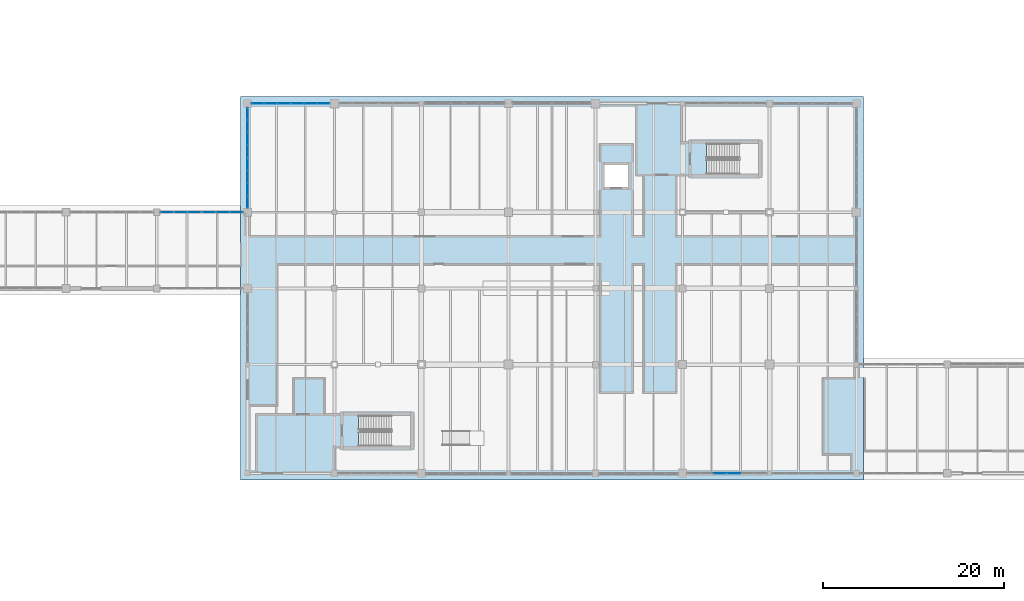
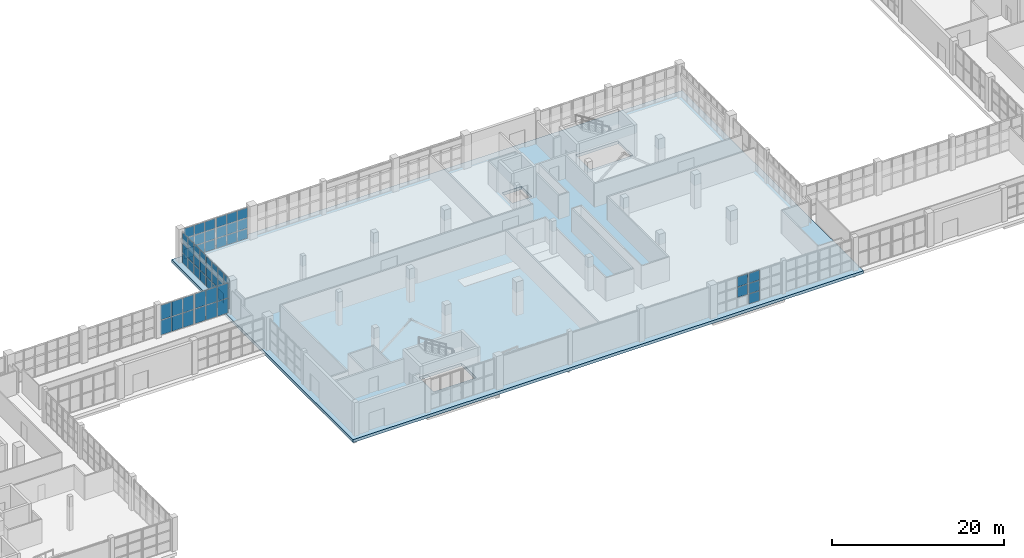
# One storey, part 78 of 121: 59 plates, 1 slab, 8 elements without a shape of their own.
"""IFC4 building model written with IfcOpenShell, lengths in metres."""

from ifc_helpers import new_model, si_unit, direction, frame, origin, origin_2d, place, context, subcontext, project, spatial, polyline, rectangle, outline, extrude, material, layer, layer_set, type_object, element, aggregate, save


model = new_model("IFC4")

# Units and contexts
model_context = context("Model", 3, precision=1e-05, world=origin(), true_north=direction((0.0, 1.0)))
body_context = subcontext(model_context, "Body", "Model", "MODEL_VIEW")
ifc_project = project(units=[si_unit("LENGTHUNIT", "METRE"), si_unit("AREAUNIT", "SQUARE_METRE"), si_unit("VOLUMEUNIT", "CUBIC_METRE"), si_unit("PLANEANGLEUNIT", "RADIAN"), si_unit("MASSUNIT", "GRAM", prefix="KILO")], contexts=[model_context])

# Site, building, storey
site_placement = place(None, origin())
site = spatial("IfcSite", under=ifc_project, at=site_placement, CompositionType="ELEMENT")
building_placement = place(site_placement, origin())
building = spatial("IfcBuilding", under=site, at=building_placement, Name="Zereglee Splitstone Museum", CompositionType="ELEMENT")
storey_placement = place(building_placement, origin())
storey = spatial("IfcBuildingStorey", under=building, at=storey_placement, Name="L00", CompositionType="ELEMENT", Elevation=0.0)

# Curtain wall, plates
ifc_material_1 = material(Name="Triple-glazed low-E argon glass and bronze-anodised aluminium", Category="aluminium")
ifc_layer_1 = layer(ifc_material_1, 0.179931640625)
ifc_layer_set_1 = layer_set([ifc_layer_1], Name="Triple-glazed low-E argon glass and bronze-anodised aluminium")
curtain_wall_type_1 = type_object("IfcCurtainWallType", Name="CW-0429-450", PredefinedType="USERDEFINED", material=ifc_layer_set_1)
curtain_wall_1_placement = place(storey_placement, origin())
curtain_wall_1 = element("IfcCurtainWall", 1, at=curtain_wall_1_placement, inside=storey, type_object=curtain_wall_type_1, Name="Glazed Curtain Wall CW-0429-450 (L00)", ObjectType="GLAZED CURTAIN WALL", PredefinedType="USERDEFINED")
ifc_material_2 = material(Name="Triple low-e argon insulated safety glass", Category="glass")
ifc_layer_2 = layer(ifc_material_2, 0.035888671875)
ifc_layer_set_2 = layer_set([ifc_layer_2], Name="Triple low-e argon insulated safety glass")
plate_type = type_object("IfcPlateType", Name="CWP-01", PredefinedType="CURTAIN_PANEL", material=ifc_layer_set_2)
plate_1_placement = place(storey_placement, frame((86.36083984375, 50.39990234375, 0.06494140625), z_axis=(0.0, 0.0, 1.0), x_axis=(-1.0, 0.0, 0.0)))
plate_1 = element("IfcPlate", 2, at=plate_1_placement, type_object=plate_type, Name="CW-0429-450 panel 1.1", PredefinedType="CURTAIN_PANEL", context=body_context, shape_type="SweptSolid", body=[
    extrude(rectangle(XDim=1.332275390625, YDim=0.035888671875, at=origin_2d()), origin(), (0.0, 0.0, 1.0), 1.402587890625),
])
plate_2_placement = place(storey_placement, frame((86.36083984375, 50.39990234375, 1.532470703125), z_axis=(0.0, 0.0, 1.0), x_axis=(-1.0, 0.0, 0.0)))
plate_2 = element("IfcPlate", 3, at=plate_2_placement, type_object=plate_type, Name="CW-0429-450 panel 1.2", PredefinedType="CURTAIN_PANEL", context=body_context, shape_type="SweptSolid", body=[
    extrude(rectangle(XDim=1.332275390625, YDim=0.035888671875, at=origin_2d()), origin(), (0.0, 0.0, 1.0), 1.43505859375),
])
plate_3_placement = place(storey_placement, frame((86.36083984375, 50.39990234375, 3.0322265625), z_axis=(0.0, 0.0, 1.0), x_axis=(-1.0, 0.0, 0.0)))
plate_3 = element("IfcPlate", 4, at=plate_3_placement, type_object=plate_type, Name="CW-0429-450 panel 1.3", PredefinedType="CURTAIN_PANEL", context=body_context, shape_type="SweptSolid", body=[
    extrude(rectangle(XDim=1.332275390625, YDim=0.035888671875, at=origin_2d()), origin(), (0.0, 0.0, 1.0), 1.402587890625),
])
plate_4_placement = place(storey_placement, frame((84.947265625, 50.39990234375, 0.06494140625), z_axis=(0.0, 0.0, 1.0), x_axis=(-1.0, 0.0, 0.0)))
plate_4 = element("IfcPlate", 5, at=plate_4_placement, type_object=plate_type, Name="CW-0429-450 panel 2.1", PredefinedType="CURTAIN_PANEL", context=body_context, shape_type="SweptSolid", body=[
    extrude(rectangle(XDim=1.36474609375, YDim=0.035888671875, at=origin_2d()), origin(), (0.0, 0.0, 1.0), 1.402587890625),
])
plate_5_placement = place(storey_placement, frame((84.947265625, 50.39990234375, 1.532470703125), z_axis=(0.0, 0.0, 1.0), x_axis=(-1.0, 0.0, 0.0)))
plate_5 = element("IfcPlate", 6, at=plate_5_placement, type_object=plate_type, Name="CW-0429-450 panel 2.2", PredefinedType="CURTAIN_PANEL", context=body_context, shape_type="SweptSolid", body=[
    extrude(rectangle(XDim=1.36474609375, YDim=0.035888671875, at=origin_2d()), origin(), (0.0, 0.0, 1.0), 1.43505859375),
])
plate_6_placement = place(storey_placement, frame((84.947265625, 50.39990234375, 3.0322265625), z_axis=(0.0, 0.0, 1.0), x_axis=(-1.0, 0.0, 0.0)))
plate_6 = element("IfcPlate", 7, at=plate_6_placement, type_object=plate_type, Name="CW-0429-450 panel 2.3", PredefinedType="CURTAIN_PANEL", context=body_context, shape_type="SweptSolid", body=[
    extrude(rectangle(XDim=1.36474609375, YDim=0.035888671875, at=origin_2d()), origin(), (0.0, 0.0, 1.0), 1.402587890625),
])
plate_7_placement = place(storey_placement, frame((83.53369140625, 50.39990234375, 0.06494140625), z_axis=(0.0, 0.0, 1.0), x_axis=(-1.0, 0.0, 0.0)))
plate_7 = element("IfcPlate", 8, at=plate_7_placement, type_object=plate_type, Name="CW-0429-450 panel 3.1", PredefinedType="CURTAIN_PANEL", context=body_context, shape_type="SweptSolid", body=[
    extrude(rectangle(XDim=1.332275390625, YDim=0.035888671875, at=origin_2d()), origin(), (0.0, 0.0, 1.0), 1.402587890625),
])
plate_8_placement = place(storey_placement, frame((83.53369140625, 50.39990234375, 1.532470703125), z_axis=(0.0, 0.0, 1.0), x_axis=(-1.0, 0.0, 0.0)))
plate_8 = element("IfcPlate", 9, at=plate_8_placement, type_object=plate_type, Name="CW-0429-450 panel 3.2", PredefinedType="CURTAIN_PANEL", context=body_context, shape_type="SweptSolid", body=[
    extrude(rectangle(XDim=1.332275390625, YDim=0.035888671875, at=origin_2d()), origin(), (0.0, 0.0, 1.0), 1.43505859375),
])
plate_9_placement = place(storey_placement, frame((83.53369140625, 50.39990234375, 3.0322265625), z_axis=(0.0, 0.0, 1.0), x_axis=(-1.0, 0.0, 0.0)))
plate_9 = element("IfcPlate", 10, at=plate_9_placement, type_object=plate_type, Name="CW-0429-450 panel 3.3", PredefinedType="CURTAIN_PANEL", context=body_context, shape_type="SweptSolid", body=[
    extrude(rectangle(XDim=1.332275390625, YDim=0.035888671875, at=origin_2d()), origin(), (0.0, 0.0, 1.0), 1.402587890625),
])
aggregate(curtain_wall_1, [plate_1, plate_2, plate_3, plate_4, plate_5, plate_6, plate_7, plate_8, plate_9])

ifc_layer_3 = layer(ifc_material_1, 0.179931640625)
ifc_layer_set_3 = layer_set([ifc_layer_3], Name="Triple-glazed low-E argon glass and bronze-anodised aluminium")
curtain_wall_type_2 = type_object("IfcCurtainWallType", Name="CW-0429-448", PredefinedType="USERDEFINED", material=ifc_layer_set_3)
curtain_wall_2_placement = place(storey_placement, origin())
curtain_wall_2 = element("IfcCurtainWall", 11, at=curtain_wall_2_placement, inside=storey, type_object=curtain_wall_type_2, Name="Glazed Curtain Wall CW-0429-448 (L00)", ObjectType="GLAZED CURTAIN WALL", PredefinedType="USERDEFINED")
plate_10_placement = place(storey_placement, frame((81.991455078125, 50.39990234375, 0.06494140625), z_axis=(0.0, 0.0, 1.0), x_axis=(-1.0, 0.0, 0.0)))
plate_10 = element("IfcPlate", 12, at=plate_10_placement, type_object=plate_type, Name="CW-0429-448 panel 1.1", PredefinedType="CURTAIN_PANEL", context=body_context, shape_type="SweptSolid", body=[
    extrude(rectangle(XDim=1.332275390625, YDim=0.035888671875, at=origin_2d()), origin(), (0.0, 0.0, 1.0), 1.395751953125),
])
plate_11_placement = place(storey_placement, frame((81.991455078125, 50.39990234375, 1.52587890625), z_axis=(0.0, 0.0, 1.0), x_axis=(-1.0, 0.0, 0.0)))
plate_11 = element("IfcPlate", 13, at=plate_11_placement, type_object=plate_type, Name="CW-0429-448 panel 1.2", PredefinedType="CURTAIN_PANEL", context=body_context, shape_type="SweptSolid", body=[
    extrude(rectangle(XDim=1.332275390625, YDim=0.035888671875, at=origin_2d()), origin(), (0.0, 0.0, 1.0), 1.428466796875),
])
plate_12_placement = place(storey_placement, frame((81.991455078125, 50.39990234375, 3.01904296875), z_axis=(0.0, 0.0, 1.0), x_axis=(-1.0, 0.0, 0.0)))
plate_12 = element("IfcPlate", 14, at=plate_12_placement, type_object=plate_type, Name="CW-0429-448 panel 1.3", PredefinedType="CURTAIN_PANEL", context=body_context, shape_type="SweptSolid", body=[
    extrude(rectangle(XDim=1.332275390625, YDim=0.035888671875, at=origin_2d()), origin(), (0.0, 0.0, 1.0), 1.395751953125),
])
plate_13_placement = place(storey_placement, frame((80.57763671875, 50.39990234375, 0.06494140625), z_axis=(0.0, 0.0, 1.0), x_axis=(-1.0, 0.0, 0.0)))
plate_13 = element("IfcPlate", 15, at=plate_13_placement, type_object=plate_type, Name="CW-0429-448 panel 2.1", PredefinedType="CURTAIN_PANEL", context=body_context, shape_type="SweptSolid", body=[
    extrude(rectangle(XDim=1.36474609375, YDim=0.035888671875, at=origin_2d()), origin(), (0.0, 0.0, 1.0), 1.395751953125),
])
plate_14_placement = place(storey_placement, frame((80.57763671875, 50.39990234375, 1.52587890625), z_axis=(0.0, 0.0, 1.0), x_axis=(-1.0, 0.0, 0.0)))
plate_14 = element("IfcPlate", 16, at=plate_14_placement, type_object=plate_type, Name="CW-0429-448 panel 2.2", PredefinedType="CURTAIN_PANEL", context=body_context, shape_type="SweptSolid", body=[
    extrude(rectangle(XDim=1.36474609375, YDim=0.035888671875, at=origin_2d()), origin(), (0.0, 0.0, 1.0), 1.428466796875),
])
plate_15_placement = place(storey_placement, frame((80.57763671875, 50.39990234375, 3.01904296875), z_axis=(0.0, 0.0, 1.0), x_axis=(-1.0, 0.0, 0.0)))
plate_15 = element("IfcPlate", 17, at=plate_15_placement, type_object=plate_type, Name="CW-0429-448 panel 2.3", PredefinedType="CURTAIN_PANEL", context=body_context, shape_type="SweptSolid", body=[
    extrude(rectangle(XDim=1.36474609375, YDim=0.035888671875, at=origin_2d()), origin(), (0.0, 0.0, 1.0), 1.395751953125),
])
plate_16_placement = place(storey_placement, frame((79.1640625, 50.39990234375, 0.06494140625), z_axis=(0.0, 0.0, 1.0), x_axis=(-1.0, 0.0, 0.0)))
plate_16 = element("IfcPlate", 18, at=plate_16_placement, type_object=plate_type, Name="CW-0429-448 panel 3.1", PredefinedType="CURTAIN_PANEL", context=body_context, shape_type="SweptSolid", body=[
    extrude(rectangle(XDim=1.332275390625, YDim=0.035888671875, at=origin_2d()), origin(), (0.0, 0.0, 1.0), 1.395751953125),
])
plate_17_placement = place(storey_placement, frame((79.1640625, 50.39990234375, 1.52587890625), z_axis=(0.0, 0.0, 1.0), x_axis=(-1.0, 0.0, 0.0)))
plate_17 = element("IfcPlate", 19, at=plate_17_placement, type_object=plate_type, Name="CW-0429-448 panel 3.2", PredefinedType="CURTAIN_PANEL", context=body_context, shape_type="SweptSolid", body=[
    extrude(rectangle(XDim=1.332275390625, YDim=0.035888671875, at=origin_2d()), origin(), (0.0, 0.0, 1.0), 1.428466796875),
])
plate_18_placement = place(storey_placement, frame((79.1640625, 50.39990234375, 3.01904296875), z_axis=(0.0, 0.0, 1.0), x_axis=(-1.0, 0.0, 0.0)))
plate_18 = element("IfcPlate", 20, at=plate_18_placement, type_object=plate_type, Name="CW-0429-448 panel 3.3", PredefinedType="CURTAIN_PANEL", context=body_context, shape_type="SweptSolid", body=[
    extrude(rectangle(XDim=1.332275390625, YDim=0.035888671875, at=origin_2d()), origin(), (0.0, 0.0, 1.0), 1.395751953125),
])
aggregate(curtain_wall_2, [plate_10, plate_11, plate_12, plate_13, plate_14, plate_15, plate_16, plate_17, plate_18])

ifc_layer_4 = layer(ifc_material_1, 0.179931640625)
ifc_layer_set_4 = layer_set([ifc_layer_4], Name="Triple-glazed low-E argon glass and bronze-anodised aluminium")
curtain_wall_type_3 = type_object("IfcCurtainWallType", Name="CW-0551-444", PredefinedType="USERDEFINED", material=ifc_layer_set_4)
curtain_wall_3_placement = place(storey_placement, origin())
curtain_wall_3 = element("IfcCurtainWall", 21, at=curtain_wall_3_placement, inside=storey, type_object=curtain_wall_type_3, Name="Glazed Curtain Wall CW-0551-444 (L00)", ObjectType="GLAZED CURTAIN WALL", PredefinedType="USERDEFINED")
plate_19_placement = place(storey_placement, frame((78.0, 49.261474609375, 0.06494140625), z_axis=(0.0, 0.0, 1.0), x_axis=(0.0, -1.0, 0.0)))
plate_19 = element("IfcPlate", 22, at=plate_19_placement, type_object=plate_type, Name="CW-0551-444 panel 1.1", PredefinedType="CURTAIN_PANEL", context=body_context, shape_type="SweptSolid", body=[
    extrude(rectangle(XDim=1.281005859375, YDim=0.035888671875, at=origin_2d()), origin(), (0.0, 0.0, 1.0), 1.382568359375),
])
plate_20_placement = place(storey_placement, frame((78.0, 49.261474609375, 1.512451171875), z_axis=(0.0, 0.0, 1.0), x_axis=(0.0, -1.0, 0.0)))
plate_20 = element("IfcPlate", 23, at=plate_20_placement, type_object=plate_type, Name="CW-0551-444 panel 1.2", PredefinedType="CURTAIN_PANEL", context=body_context, shape_type="SweptSolid", body=[
    extrude(rectangle(XDim=1.281005859375, YDim=0.035888671875, at=origin_2d()), origin(), (0.0, 0.0, 1.0), 1.4150390625),
])
plate_21_placement = place(storey_placement, frame((78.0, 49.261474609375, 2.99267578125), z_axis=(0.0, 0.0, 1.0), x_axis=(0.0, -1.0, 0.0)))
plate_21 = element("IfcPlate", 24, at=plate_21_placement, type_object=plate_type, Name="CW-0551-444 panel 1.3", PredefinedType="CURTAIN_PANEL", context=body_context, shape_type="SweptSolid", body=[
    extrude(rectangle(XDim=1.281005859375, YDim=0.035888671875, at=origin_2d()), origin(), (0.0, 0.0, 1.0), 1.382568359375),
])
plate_22_placement = place(storey_placement, frame((78.0, 47.899169921875, 0.06494140625), z_axis=(0.0, 0.0, 1.0), x_axis=(0.0, -1.0, 0.0)))
plate_22 = element("IfcPlate", 25, at=plate_22_placement, type_object=plate_type, Name="CW-0551-444 panel 2.1", PredefinedType="CURTAIN_PANEL", context=body_context, shape_type="SweptSolid", body=[
    extrude(rectangle(XDim=1.313720703125, YDim=0.035888671875, at=origin_2d()), origin(), (0.0, 0.0, 1.0), 1.382568359375),
])
plate_23_placement = place(storey_placement, frame((78.0, 47.899169921875, 1.512451171875), z_axis=(0.0, 0.0, 1.0), x_axis=(0.0, -1.0, 0.0)))
plate_23 = element("IfcPlate", 26, at=plate_23_placement, type_object=plate_type, Name="CW-0551-444 panel 2.2", PredefinedType="CURTAIN_PANEL", context=body_context, shape_type="SweptSolid", body=[
    extrude(rectangle(XDim=1.313720703125, YDim=0.035888671875, at=origin_2d()), origin(), (0.0, 0.0, 1.0), 1.4150390625),
])
plate_24_placement = place(storey_placement, frame((78.0, 47.899169921875, 2.99267578125), z_axis=(0.0, 0.0, 1.0), x_axis=(0.0, -1.0, 0.0)))
plate_24 = element("IfcPlate", 27, at=plate_24_placement, type_object=plate_type, Name="CW-0551-444 panel 2.3", PredefinedType="CURTAIN_PANEL", context=body_context, shape_type="SweptSolid", body=[
    extrude(rectangle(XDim=1.313720703125, YDim=0.035888671875, at=origin_2d()), origin(), (0.0, 0.0, 1.0), 1.382568359375),
])
plate_25_placement = place(storey_placement, frame((78.0, 46.5205078125, 0.06494140625), z_axis=(0.0, 0.0, 1.0), x_axis=(0.0, -1.0, 0.0)))
plate_25 = element("IfcPlate", 28, at=plate_25_placement, type_object=plate_type, Name="CW-0551-444 panel 3.1", PredefinedType="CURTAIN_PANEL", context=body_context, shape_type="SweptSolid", body=[
    extrude(rectangle(XDim=1.313720703125, YDim=0.035888671875, at=origin_2d()), origin(), (0.0, 0.0, 1.0), 1.382568359375),
])
plate_26_placement = place(storey_placement, frame((78.0, 46.5205078125, 1.512451171875), z_axis=(0.0, 0.0, 1.0), x_axis=(0.0, -1.0, 0.0)))
plate_26 = element("IfcPlate", 29, at=plate_26_placement, type_object=plate_type, Name="CW-0551-444 panel 3.2", PredefinedType="CURTAIN_PANEL", context=body_context, shape_type="SweptSolid", body=[
    extrude(rectangle(XDim=1.313720703125, YDim=0.035888671875, at=origin_2d()), origin(), (0.0, 0.0, 1.0), 1.4150390625),
])
plate_27_placement = place(storey_placement, frame((78.0, 46.5205078125, 2.99267578125), z_axis=(0.0, 0.0, 1.0), x_axis=(0.0, -1.0, 0.0)))
plate_27 = element("IfcPlate", 30, at=plate_27_placement, type_object=plate_type, Name="CW-0551-444 panel 3.3", PredefinedType="CURTAIN_PANEL", context=body_context, shape_type="SweptSolid", body=[
    extrude(rectangle(XDim=1.313720703125, YDim=0.035888671875, at=origin_2d()), origin(), (0.0, 0.0, 1.0), 1.382568359375),
])
plate_28_placement = place(storey_placement, frame((78.0, 45.157958984375, 0.06494140625), z_axis=(0.0, 0.0, 1.0), x_axis=(0.0, -1.0, 0.0)))
plate_28 = element("IfcPlate", 31, at=plate_28_placement, type_object=plate_type, Name="CW-0551-444 panel 4.1", PredefinedType="CURTAIN_PANEL", context=body_context, shape_type="SweptSolid", body=[
    extrude(rectangle(XDim=1.281005859375, YDim=0.035888671875, at=origin_2d()), origin(), (0.0, 0.0, 1.0), 1.382568359375),
])
plate_29_placement = place(storey_placement, frame((78.0, 45.157958984375, 1.512451171875), z_axis=(0.0, 0.0, 1.0), x_axis=(0.0, -1.0, 0.0)))
plate_29 = element("IfcPlate", 32, at=plate_29_placement, type_object=plate_type, Name="CW-0551-444 panel 4.2", PredefinedType="CURTAIN_PANEL", context=body_context, shape_type="SweptSolid", body=[
    extrude(rectangle(XDim=1.281005859375, YDim=0.035888671875, at=origin_2d()), origin(), (0.0, 0.0, 1.0), 1.4150390625),
])
plate_30_placement = place(storey_placement, frame((78.0, 45.157958984375, 2.99267578125), z_axis=(0.0, 0.0, 1.0), x_axis=(0.0, -1.0, 0.0)))
plate_30 = element("IfcPlate", 33, at=plate_30_placement, type_object=plate_type, Name="CW-0551-444 panel 4.3", PredefinedType="CURTAIN_PANEL", context=body_context, shape_type="SweptSolid", body=[
    extrude(rectangle(XDim=1.281005859375, YDim=0.035888671875, at=origin_2d()), origin(), (0.0, 0.0, 1.0), 1.382568359375),
])
aggregate(curtain_wall_3, [plate_19, plate_20, plate_21, plate_22, plate_23, plate_24, plate_25, plate_26, plate_27, plate_28, plate_29, plate_30])

ifc_layer_5 = layer(ifc_material_1, 0.179931640625)
ifc_layer_set_5 = layer_set([ifc_layer_5], Name="Triple-glazed low-E argon glass and bronze-anodised aluminium")
curtain_wall_type_4 = type_object("IfcCurtainWallType", Name="CW-0551-442", PredefinedType="USERDEFINED", material=ifc_layer_set_5)
curtain_wall_4_placement = place(storey_placement, origin())
curtain_wall_4 = element("IfcCurtainWall", 34, at=curtain_wall_4_placement, inside=storey, type_object=curtain_wall_type_4, Name="Glazed Curtain Wall CW-0551-442 (L00)", ObjectType="GLAZED CURTAIN WALL", PredefinedType="USERDEFINED")
plate_31_placement = place(storey_placement, frame((78.0, 43.6669921875, 0.06494140625), z_axis=(0.0, 0.0, 1.0), x_axis=(0.0, -1.0, 0.0)))
plate_31 = element("IfcPlate", 35, at=plate_31_placement, type_object=plate_type, Name="CW-0551-442 panel 1.1", PredefinedType="CURTAIN_PANEL", context=body_context, shape_type="SweptSolid", body=[
    extrude(rectangle(XDim=1.281005859375, YDim=0.035888671875, at=origin_2d()), origin(), (0.0, 0.0, 1.0), 1.375732421875),
])
plate_32_placement = place(storey_placement, frame((78.0, 43.6669921875, 1.505859375), z_axis=(0.0, 0.0, 1.0), x_axis=(0.0, -1.0, 0.0)))
plate_32 = element("IfcPlate", 36, at=plate_32_placement, type_object=plate_type, Name="CW-0551-442 panel 1.2", PredefinedType="CURTAIN_PANEL", context=body_context, shape_type="SweptSolid", body=[
    extrude(rectangle(XDim=1.281005859375, YDim=0.035888671875, at=origin_2d()), origin(), (0.0, 0.0, 1.0), 1.408447265625),
])
plate_33_placement = place(storey_placement, frame((78.0, 43.6669921875, 2.97900390625), z_axis=(0.0, 0.0, 1.0), x_axis=(0.0, -1.0, 0.0)))
plate_33 = element("IfcPlate", 37, at=plate_33_placement, type_object=plate_type, Name="CW-0551-442 panel 1.3", PredefinedType="CURTAIN_PANEL", context=body_context, shape_type="SweptSolid", body=[
    extrude(rectangle(XDim=1.281005859375, YDim=0.035888671875, at=origin_2d()), origin(), (0.0, 0.0, 1.0), 1.375732421875),
])
plate_34_placement = place(storey_placement, frame((78.0, 42.304443359375, 0.06494140625), z_axis=(0.0, 0.0, 1.0), x_axis=(0.0, -1.0, 0.0)))
plate_34 = element("IfcPlate", 38, at=plate_34_placement, type_object=plate_type, Name="CW-0551-442 panel 2.1", PredefinedType="CURTAIN_PANEL", context=body_context, shape_type="SweptSolid", body=[
    extrude(rectangle(XDim=1.313720703125, YDim=0.035888671875, at=origin_2d()), origin(), (0.0, 0.0, 1.0), 1.375732421875),
])
plate_35_placement = place(storey_placement, frame((78.0, 42.304443359375, 1.505859375), z_axis=(0.0, 0.0, 1.0), x_axis=(0.0, -1.0, 0.0)))
plate_35 = element("IfcPlate", 39, at=plate_35_placement, type_object=plate_type, Name="CW-0551-442 panel 2.2", PredefinedType="CURTAIN_PANEL", context=body_context, shape_type="SweptSolid", body=[
    extrude(rectangle(XDim=1.313720703125, YDim=0.035888671875, at=origin_2d()), origin(), (0.0, 0.0, 1.0), 1.408447265625),
])
plate_36_placement = place(storey_placement, frame((78.0, 42.304443359375, 2.97900390625), z_axis=(0.0, 0.0, 1.0), x_axis=(0.0, -1.0, 0.0)))
plate_36 = element("IfcPlate", 40, at=plate_36_placement, type_object=plate_type, Name="CW-0551-442 panel 2.3", PredefinedType="CURTAIN_PANEL", context=body_context, shape_type="SweptSolid", body=[
    extrude(rectangle(XDim=1.313720703125, YDim=0.035888671875, at=origin_2d()), origin(), (0.0, 0.0, 1.0), 1.375732421875),
])
plate_37_placement = place(storey_placement, frame((78.0, 40.926025390625, 0.06494140625), z_axis=(0.0, 0.0, 1.0), x_axis=(0.0, -1.0, 0.0)))
plate_37 = element("IfcPlate", 41, at=plate_37_placement, type_object=plate_type, Name="CW-0551-442 panel 3.1", PredefinedType="CURTAIN_PANEL", context=body_context, shape_type="SweptSolid", body=[
    extrude(rectangle(XDim=1.313720703125, YDim=0.035888671875, at=origin_2d()), origin(), (0.0, 0.0, 1.0), 1.375732421875),
])
plate_38_placement = place(storey_placement, frame((78.0, 40.926025390625, 1.505859375), z_axis=(0.0, 0.0, 1.0), x_axis=(0.0, -1.0, 0.0)))
plate_38 = element("IfcPlate", 42, at=plate_38_placement, type_object=plate_type, Name="CW-0551-442 panel 3.2", PredefinedType="CURTAIN_PANEL", context=body_context, shape_type="SweptSolid", body=[
    extrude(rectangle(XDim=1.313720703125, YDim=0.035888671875, at=origin_2d()), origin(), (0.0, 0.0, 1.0), 1.408447265625),
])
plate_39_placement = place(storey_placement, frame((78.0, 40.926025390625, 2.97900390625), z_axis=(0.0, 0.0, 1.0), x_axis=(0.0, -1.0, 0.0)))
plate_39 = element("IfcPlate", 43, at=plate_39_placement, type_object=plate_type, Name="CW-0551-442 panel 3.3", PredefinedType="CURTAIN_PANEL", context=body_context, shape_type="SweptSolid", body=[
    extrude(rectangle(XDim=1.313720703125, YDim=0.035888671875, at=origin_2d()), origin(), (0.0, 0.0, 1.0), 1.375732421875),
])
plate_40_placement = place(storey_placement, frame((78.0, 39.5634765625, 0.06494140625), z_axis=(0.0, 0.0, 1.0), x_axis=(0.0, -1.0, 0.0)))
plate_40 = element("IfcPlate", 44, at=plate_40_placement, type_object=plate_type, Name="CW-0551-442 panel 4.1", PredefinedType="CURTAIN_PANEL", context=body_context, shape_type="SweptSolid", body=[
    extrude(rectangle(XDim=1.281005859375, YDim=0.035888671875, at=origin_2d()), origin(), (0.0, 0.0, 1.0), 1.375732421875),
])
plate_41_placement = place(storey_placement, frame((78.0, 39.5634765625, 1.505859375), z_axis=(0.0, 0.0, 1.0), x_axis=(0.0, -1.0, 0.0)))
plate_41 = element("IfcPlate", 45, at=plate_41_placement, type_object=plate_type, Name="CW-0551-442 panel 4.2", PredefinedType="CURTAIN_PANEL", context=body_context, shape_type="SweptSolid", body=[
    extrude(rectangle(XDim=1.281005859375, YDim=0.035888671875, at=origin_2d()), origin(), (0.0, 0.0, 1.0), 1.408447265625),
])
plate_42_placement = place(storey_placement, frame((78.0, 39.5634765625, 2.97900390625), z_axis=(0.0, 0.0, 1.0), x_axis=(0.0, -1.0, 0.0)))
plate_42 = element("IfcPlate", 46, at=plate_42_placement, type_object=plate_type, Name="CW-0551-442 panel 4.3", PredefinedType="CURTAIN_PANEL", context=body_context, shape_type="SweptSolid", body=[
    extrude(rectangle(XDim=1.281005859375, YDim=0.035888671875, at=origin_2d()), origin(), (0.0, 0.0, 1.0), 1.375732421875),
])
aggregate(curtain_wall_4, [plate_31, plate_32, plate_33, plate_34, plate_35, plate_36, plate_37, plate_38, plate_39, plate_40, plate_41, plate_42])

ifc_layer_6 = layer(ifc_material_1, 0.179931640625)
ifc_layer_set_6 = layer_set([ifc_layer_6], Name="Triple-glazed low-E argon glass and bronze-anodised aluminium")
curtain_wall_type_5 = type_object("IfcCurtainWallType", Name="CW-0455-438", PredefinedType="USERDEFINED", material=ifc_layer_set_6)
curtain_wall_5_placement = place(storey_placement, origin())
curtain_wall_5 = element("IfcCurtainWall", 47, at=curtain_wall_5_placement, inside=storey, type_object=curtain_wall_type_5, Name="Glazed Curtain Wall CW-0455-438 (L00)", ObjectType="GLAZED CURTAIN WALL", PredefinedType="USERDEFINED")
plate_43_placement = place(storey_placement, frame((76.76708984375, 38.39990234375, 0.06494140625), z_axis=(0.0, 0.0, 1.0), x_axis=(-1.0, 0.0, 0.0)))
plate_43 = element("IfcPlate", 48, at=plate_43_placement, type_object=plate_type, Name="CW-0455-438 panel 1.1", PredefinedType="CURTAIN_PANEL", context=body_context, shape_type="SweptSolid", body=[
    extrude(rectangle(XDim=1.419921875, YDim=0.035888671875, at=origin_2d()), origin(), (0.0, 0.0, 1.0), 2.092529296875),
])
plate_44_placement = place(storey_placement, frame((76.76708984375, 38.39990234375, 2.22265625), z_axis=(0.0, 0.0, 1.0), x_axis=(-1.0, 0.0, 0.0)))
plate_44 = element("IfcPlate", 49, at=plate_44_placement, type_object=plate_type, Name="CW-0455-438 panel 1.2", PredefinedType="CURTAIN_PANEL", context=body_context, shape_type="SweptSolid", body=[
    extrude(rectangle(XDim=1.419921875, YDim=0.035888671875, at=origin_2d()), origin(), (0.0, 0.0, 1.0), 2.092529296875),
])
plate_45_placement = place(storey_placement, frame((75.26611328125, 38.39990234375, 0.06494140625), z_axis=(0.0, 0.0, 1.0), x_axis=(-1.0, 0.0, 0.0)))
plate_45 = element("IfcPlate", 50, at=plate_45_placement, type_object=plate_type, Name="CW-0455-438 panel 2.1", PredefinedType="CURTAIN_PANEL", context=body_context, shape_type="SweptSolid", body=[
    extrude(rectangle(XDim=1.452392578125, YDim=0.035888671875, at=origin_2d()), origin(), (0.0, 0.0, 1.0), 2.092529296875),
])
plate_46_placement = place(storey_placement, frame((75.26611328125, 38.39990234375, 2.22265625), z_axis=(0.0, 0.0, 1.0), x_axis=(-1.0, 0.0, 0.0)))
plate_46 = element("IfcPlate", 51, at=plate_46_placement, type_object=plate_type, Name="CW-0455-438 panel 2.2", PredefinedType="CURTAIN_PANEL", context=body_context, shape_type="SweptSolid", body=[
    extrude(rectangle(XDim=1.452392578125, YDim=0.035888671875, at=origin_2d()), origin(), (0.0, 0.0, 1.0), 2.092529296875),
])
plate_47_placement = place(storey_placement, frame((73.764892578125, 38.39990234375, 0.06494140625), z_axis=(0.0, 0.0, 1.0), x_axis=(-1.0, 0.0, 0.0)))
plate_47 = element("IfcPlate", 52, at=plate_47_placement, type_object=plate_type, Name="CW-0455-438 panel 3.1", PredefinedType="CURTAIN_PANEL", context=body_context, shape_type="SweptSolid", body=[
    extrude(rectangle(XDim=1.419921875, YDim=0.035888671875, at=origin_2d()), origin(), (0.0, 0.0, 1.0), 2.092529296875),
])
plate_48_placement = place(storey_placement, frame((73.764892578125, 38.39990234375, 2.22265625), z_axis=(0.0, 0.0, 1.0), x_axis=(-1.0, 0.0, 0.0)))
plate_48 = element("IfcPlate", 53, at=plate_48_placement, type_object=plate_type, Name="CW-0455-438 panel 3.2", PredefinedType="CURTAIN_PANEL", context=body_context, shape_type="SweptSolid", body=[
    extrude(rectangle(XDim=1.419921875, YDim=0.035888671875, at=origin_2d()), origin(), (0.0, 0.0, 1.0), 2.092529296875),
])
aggregate(curtain_wall_5, [plate_43, plate_44, plate_45, plate_46, plate_47, plate_48])

ifc_layer_7 = layer(ifc_material_1, 0.179931640625)
ifc_layer_set_7 = layer_set([ifc_layer_7], Name="Triple-glazed low-E argon glass and bronze-anodised aluminium")
curtain_wall_type_6 = type_object("IfcCurtainWallType", Name="CW-0455-436", PredefinedType="USERDEFINED", material=ifc_layer_set_7)
curtain_wall_6_placement = place(storey_placement, origin())
curtain_wall_6 = element("IfcCurtainWall", 54, at=curtain_wall_6_placement, inside=storey, type_object=curtain_wall_type_6, Name="Glazed Curtain Wall CW-0455-436 (L00)", ObjectType="GLAZED CURTAIN WALL", PredefinedType="USERDEFINED")
plate_49_placement = place(storey_placement, frame((72.135009765625, 38.39990234375, 0.06494140625), z_axis=(0.0, 0.0, 1.0), x_axis=(-1.0, 0.0, 0.0)))
plate_49 = element("IfcPlate", 55, at=plate_49_placement, type_object=plate_type, Name="CW-0455-436 panel 1.1", PredefinedType="CURTAIN_PANEL", context=body_context, shape_type="SweptSolid", body=[
    extrude(rectangle(XDim=1.419921875, YDim=0.035888671875, at=origin_2d()), origin(), (0.0, 0.0, 1.0), 2.08251953125),
])
plate_50_placement = place(storey_placement, frame((72.135009765625, 38.39990234375, 2.21240234375), z_axis=(0.0, 0.0, 1.0), x_axis=(-1.0, 0.0, 0.0)))
plate_50 = element("IfcPlate", 56, at=plate_50_placement, type_object=plate_type, Name="CW-0455-436 panel 1.2", PredefinedType="CURTAIN_PANEL", context=body_context, shape_type="SweptSolid", body=[
    extrude(rectangle(XDim=1.419921875, YDim=0.035888671875, at=origin_2d()), origin(), (0.0, 0.0, 1.0), 2.08251953125),
])
plate_51_placement = place(storey_placement, frame((70.634033203125, 38.39990234375, 0.06494140625), z_axis=(0.0, 0.0, 1.0), x_axis=(-1.0, 0.0, 0.0)))
plate_51 = element("IfcPlate", 57, at=plate_51_placement, type_object=plate_type, Name="CW-0455-436 panel 2.1", PredefinedType="CURTAIN_PANEL", context=body_context, shape_type="SweptSolid", body=[
    extrude(rectangle(XDim=1.452392578125, YDim=0.035888671875, at=origin_2d()), origin(), (0.0, 0.0, 1.0), 2.08251953125),
])
plate_52_placement = place(storey_placement, frame((70.634033203125, 38.39990234375, 2.21240234375), z_axis=(0.0, 0.0, 1.0), x_axis=(-1.0, 0.0, 0.0)))
plate_52 = element("IfcPlate", 58, at=plate_52_placement, type_object=plate_type, Name="CW-0455-436 panel 2.2", PredefinedType="CURTAIN_PANEL", context=body_context, shape_type="SweptSolid", body=[
    extrude(rectangle(XDim=1.452392578125, YDim=0.035888671875, at=origin_2d()), origin(), (0.0, 0.0, 1.0), 2.08251953125),
])
plate_53_placement = place(storey_placement, frame((69.1328125, 38.39990234375, 0.06494140625), z_axis=(0.0, 0.0, 1.0), x_axis=(-1.0, 0.0, 0.0)))
plate_53 = element("IfcPlate", 59, at=plate_53_placement, type_object=plate_type, Name="CW-0455-436 panel 3.1", PredefinedType="CURTAIN_PANEL", context=body_context, shape_type="SweptSolid", body=[
    extrude(rectangle(XDim=1.419921875, YDim=0.035888671875, at=origin_2d()), origin(), (0.0, 0.0, 1.0), 2.08251953125),
])
plate_54_placement = place(storey_placement, frame((69.1328125, 38.39990234375, 2.21240234375), z_axis=(0.0, 0.0, 1.0), x_axis=(-1.0, 0.0, 0.0)))
plate_54 = element("IfcPlate", 60, at=plate_54_placement, type_object=plate_type, Name="CW-0455-436 panel 3.2", PredefinedType="CURTAIN_PANEL", context=body_context, shape_type="SweptSolid", body=[
    extrude(rectangle(XDim=1.419921875, YDim=0.035888671875, at=origin_2d()), origin(), (0.0, 0.0, 1.0), 2.08251953125),
])
aggregate(curtain_wall_6, [plate_49, plate_50, plate_51, plate_52, plate_53, plate_54])

ifc_layer_8 = layer(ifc_material_1, 0.179931640625)
ifc_layer_set_8 = layer_set([ifc_layer_8], Name="Triple-glazed low-E argon glass and bronze-anodised aluminium")
curtain_wall_type_7 = type_object("IfcCurtainWallType", Name="CW-0440-450", PredefinedType="USERDEFINED", material=ifc_layer_set_8)
curtain_wall_7_placement = place(storey_placement, origin())
curtain_wall_7 = element("IfcCurtainWall", 61, at=curtain_wall_7_placement, inside=storey, type_object=curtain_wall_type_7, Name="Glazed Curtain Wall CW-0440-450 (L00)", ObjectType="GLAZED CURTAIN WALL", PredefinedType="USERDEFINED")
plate_55_placement = place(storey_placement, frame((130.110107421875, 9.60009765625, 1.532470703125), z_axis=(0.0, 0.0, 1.0), x_axis=(1.0, 0.0, 0.0)))
plate_55 = element("IfcPlate", 62, at=plate_55_placement, type_object=plate_type, Name="CW-0440-450 panel 3.2", PredefinedType="CURTAIN_PANEL", context=body_context, shape_type="SweptSolid", body=[
    extrude(rectangle(XDim=1.369873046875, YDim=0.035888671875, at=origin_2d()), origin(), (0.0, 0.0, 1.0), 1.43505859375),
])
plate_56_placement = place(storey_placement, frame((130.110107421875, 9.60009765625, 3.0322265625), z_axis=(0.0, 0.0, 1.0), x_axis=(1.0, 0.0, 0.0)))
plate_56 = element("IfcPlate", 63, at=plate_56_placement, type_object=plate_type, Name="CW-0440-450 panel 3.3", PredefinedType="CURTAIN_PANEL", context=body_context, shape_type="SweptSolid", body=[
    extrude(rectangle(XDim=1.369873046875, YDim=0.035888671875, at=origin_2d()), origin(), (0.0, 0.0, 1.0), 1.402587890625),
])
aggregate(curtain_wall_7, [plate_55, plate_56])

ifc_layer_9 = layer(ifc_material_1, 0.179931640625)
ifc_layer_set_9 = layer_set([ifc_layer_9], Name="Triple-glazed low-E argon glass and bronze-anodised aluminium")
curtain_wall_type_8 = type_object("IfcCurtainWallType", Name="CW-0440-448", PredefinedType="USERDEFINED", material=ifc_layer_set_9)
curtain_wall_8_placement = place(storey_placement, origin())
curtain_wall_8 = element("IfcCurtainWall", 64, at=curtain_wall_8_placement, inside=storey, type_object=curtain_wall_type_8, Name="Glazed Curtain Wall CW-0440-448 (L00)", ObjectType="GLAZED CURTAIN WALL", PredefinedType="USERDEFINED")
plate_57_placement = place(storey_placement, frame((131.68994140625, 9.60009765625, 0.06494140625), z_axis=(0.0, 0.0, 1.0), x_axis=(1.0, 0.0, 0.0)))
plate_57 = element("IfcPlate", 65, at=plate_57_placement, type_object=plate_type, Name="CW-0440-448 panel 1.1", PredefinedType="CURTAIN_PANEL", context=body_context, shape_type="SweptSolid", body=[
    extrude(rectangle(XDim=1.369873046875, YDim=0.035888671875, at=origin_2d()), origin(), (0.0, 0.0, 1.0), 1.395751953125),
])
plate_58_placement = place(storey_placement, frame((131.68994140625, 9.60009765625, 1.52587890625), z_axis=(0.0, 0.0, 1.0), x_axis=(1.0, 0.0, 0.0)))
plate_58 = element("IfcPlate", 66, at=plate_58_placement, type_object=plate_type, Name="CW-0440-448 panel 1.2", PredefinedType="CURTAIN_PANEL", context=body_context, shape_type="SweptSolid", body=[
    extrude(rectangle(XDim=1.369873046875, YDim=0.035888671875, at=origin_2d()), origin(), (0.0, 0.0, 1.0), 1.428466796875),
])
plate_59_placement = place(storey_placement, frame((131.68994140625, 9.60009765625, 3.01904296875), z_axis=(0.0, 0.0, 1.0), x_axis=(1.0, 0.0, 0.0)))
plate_59 = element("IfcPlate", 67, at=plate_59_placement, type_object=plate_type, Name="CW-0440-448 panel 1.3", PredefinedType="CURTAIN_PANEL", context=body_context, shape_type="SweptSolid", body=[
    extrude(rectangle(XDim=1.369873046875, YDim=0.035888671875, at=origin_2d()), origin(), (0.0, 0.0, 1.0), 1.395751953125),
])
aggregate(curtain_wall_8, [plate_57, plate_58, plate_59])

# Slab
ifc_material_3 = material(Name="Concrete C35/45", Category="concrete")
ifc_layer_10 = layer(ifc_material_3, 0.419921875)
ifc_layer_set_10 = layer_set([ifc_layer_10], Name="Concrete C35/45")
slab_type = type_object("IfcSlabType", Name="FS-01", PredefinedType="FLOOR", material=ifc_layer_set_10)
slab_placement = place(storey_placement, frame((0.0, 0.0, -0.419921875)))
element("IfcSlab", 68, at=slab_placement, inside=storey, type_object=slab_type, Name="Gallery Floor Slab L00-V2", PredefinedType="FLOOR", context=body_context, shape_type="SweptSolid", body=[
    extrude(outline(polyline([(77.25, 8.85009765625), (145.949951171875, 8.85009765625), (145.949951171875, 51.14990234375), (77.25, 51.14990234375), (77.25, 8.85009765625)]), holes=[polyline([(128.654052734375, 42.60009765625), (134.39990234375, 42.60009765625), (134.39990234375, 46.0), (128.654052734375, 46.0), (128.654052734375, 42.60009765625)]), polyline([(90.25390625, 12.60009765625), (96.0, 12.60009765625), (96.0, 16.0), (90.25390625, 16.0), (90.25390625, 12.60009765625)]), polyline([(117.39990234375, 41.199951171875), (120.0, 41.199951171875), (120.0, 43.60009765625), (117.39990234375, 43.60009765625), (117.39990234375, 41.199951171875)])]), origin(), (0.0, 0.0, 1.0), 0.419921875),
])

save(model, "model.ifc")
